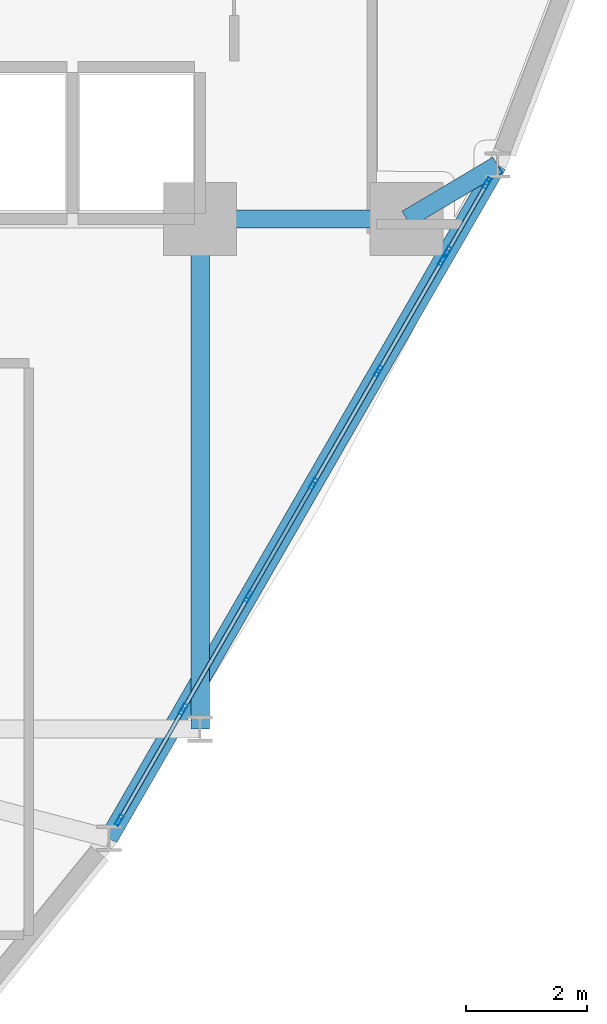
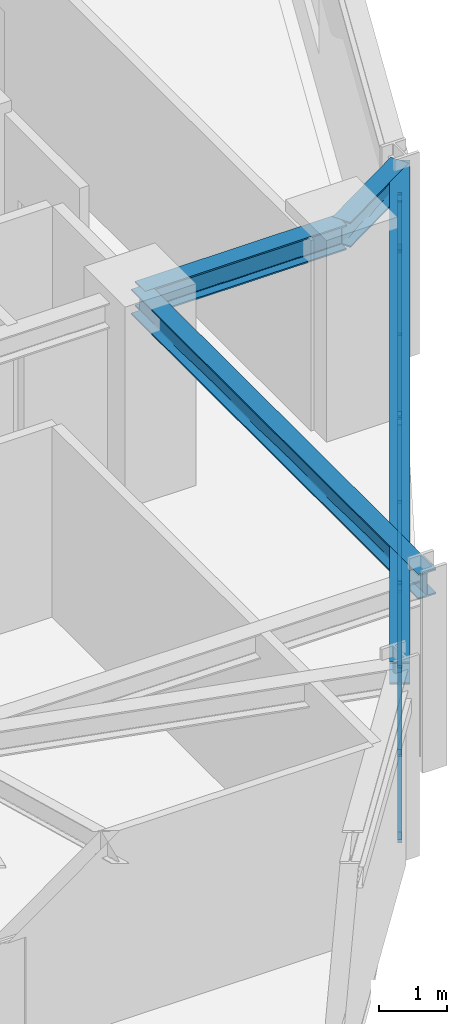
# One storey, part 6 of 15: 22 members, 4 beams, 2 elements without a shape of their own.
"""IFC4 building model written with IfcOpenShell, lengths in metres."""

from ifc_helpers import new_model, si_unit, derived_unit, direction, frame, origin, origin_2d, place, context, subcontext, project, spatial, hollow_rectangle, i_section, extrude, source, transform, mapped, material, layer, layer_set, material_profile, profile_set, type_object, element, aggregate, save


model = new_model("IFC4")

# Units and contexts
model_context = context("Model", 3, precision=1e-05, world=origin(), true_north=direction((0.0, 1.0)))
body_context = subcontext(model_context, "Body", "Model", "MODEL_VIEW")
ifc_project = project(units=[si_unit("LENGTHUNIT", "METRE"), si_unit("AREAUNIT", "SQUARE_METRE"), si_unit("VOLUMEUNIT", "CUBIC_METRE"), si_unit("PLANEANGLEUNIT", "RADIAN"), si_unit("MASSUNIT", "GRAM", prefix="KILO"), derived_unit("THERMALTRANSMITTANCEUNIT", [(si_unit("POWERUNIT", "WATT"), 1), (si_unit("LENGTHUNIT", "METRE"), -2), (si_unit("THERMODYNAMICTEMPERATUREUNIT", "KELVIN"), -1)])], contexts=[model_context])

# Site, building, storey
site_placement = place(None, origin())
site = spatial("IfcSite", under=ifc_project, at=site_placement, CompositionType="ELEMENT")
building_placement = place(site_placement, origin())
building = spatial("IfcBuilding", under=site, at=building_placement, Name="Korsvarv Bourse and Concert Hall", CompositionType="ELEMENT")
storey_placement = place(building_placement, frame((0.0, 0.0, 157.800048828125)))
storey = spatial("IfcBuildingStorey", under=building, at=storey_placement, Name="L40", CompositionType="ELEMENT", Elevation=157.800048828125)

# Beams
ifc_material_1 = material(Name="Steel S355", Category="steel")
ifc_material_profile_1 = material_profile(ifc_material_1, i_section(OverallWidth=0.300048828125, OverallDepth=0.449951171875, WebThickness=0.013916015625, FlangeThickness=0.02587890625, FilletRadius=0.02099609375, at=origin_2d()), Name="HEB 450")
ifc_profile_set_1 = profile_set([ifc_material_profile_1], Name="Steel S355")
beam_type_1 = type_object("IfcBeamType", Name="BM-HEB450", PredefinedType="SPANDREL", material=ifc_profile_set_1)
shared_shape_1 = source(origin(), body_context, "Body", "SweptSolid", [
    extrude(i_section(OverallWidth=0.300048828125, OverallDepth=0.449951171875, WebThickness=0.013916015625, FlangeThickness=0.02587890625, FilletRadius=0.02099609375, at=origin_2d()), origin(), (0.0, 0.0, 1.0), 3.400146484375),
])
beam_1_placement = place(storey_placement, frame((44.39990234375, 32.39990234375, 3.175048828125), z_axis=(1.0, 0.0, 0.0), x_axis=(0.0, 1.0, 0.0)))
element("IfcBeam", 1, at=beam_1_placement, inside=storey, type_object=beam_type_1, Name="L40 beam B-08", PredefinedType="SPANDREL", context=body_context, shape_type="MappedRepresentation", body=[
    mapped(shared_shape_1, transform((0.0, 0.0, 0.0), scale=1.0)),
])
shared_shape_2 = source(origin(), body_context, "Body", "SweptSolid", [
    extrude(i_section(OverallWidth=0.300048828125, OverallDepth=0.449951171875, WebThickness=0.013916015625, FlangeThickness=0.02587890625, FilletRadius=0.02099609375, at=origin_2d()), origin(), (0.0, 0.0, 1.0), 8.39990234375),
])
beam_2_placement = place(storey_placement, frame((44.39990234375, 24.0, 3.175048828125), z_axis=(0.0, 1.0, 0.0), x_axis=(-1.0, 0.0, 0.0)))
element("IfcBeam", 2, at=beam_2_placement, inside=storey, type_object=beam_type_1, Name="L40 beam B-08", PredefinedType="SPANDREL", context=body_context, shape_type="MappedRepresentation", body=[
    mapped(shared_shape_2, transform((0.0, 0.0, 0.0), scale=1.0)),
])
ifc_material_profile_2 = material_profile(ifc_material_1, i_section(OverallWidth=0.300048828125, OverallDepth=0.39990234375, WebThickness=0.013427734375, FlangeThickness=0.02392578125, FilletRadius=0.02099609375, at=origin_2d()), Name="HEB 400")
ifc_profile_set_2 = profile_set([ifc_material_profile_2], Name="Steel S355")
beam_type_2 = type_object("IfcBeamType", Name="BM-HEB400", PredefinedType="SPANDREL", material=ifc_profile_set_2)
shared_shape_3 = source(origin(), body_context, "Body", "SweptSolid", [
    extrude(i_section(OverallWidth=0.300048828125, OverallDepth=0.39990234375, WebThickness=0.013427734375, FlangeThickness=0.02392578125, FilletRadius=0.02099609375, at=origin_2d()), origin(), (0.0, 0.0, 1.0), 12.802978515625),
])
beam_3_placement = place(storey_placement, frame((42.895263671875, 22.202392578125, 3.199951171875), z_axis=(0.499994815902, 0.866028396804, 0.0), x_axis=(-0.866028396804, 0.499994815902, 0.0)))
element("IfcBeam", 3, at=beam_3_placement, inside=storey, type_object=beam_type_2, Name="L40 beam B-09", PredefinedType="SPANDREL", context=body_context, shape_type="MappedRepresentation", body=[
    mapped(shared_shape_3, transform((0.0, 0.0, 0.0), scale=1.0)),
])
shared_shape_4 = source(origin(), body_context, "Body", "SweptSolid", [
    extrude(i_section(OverallWidth=0.300048828125, OverallDepth=0.449951171875, WebThickness=0.013916015625, FlangeThickness=0.02587890625, FilletRadius=0.02099609375, at=origin_2d()), origin(), (0.0, 0.0, 1.0), 1.7412109375),
])
beam_4_placement = place(storey_placement, frame((49.296630859375, 33.2900390625, 3.175048828125), z_axis=(-0.85946596588, -0.511192970897, 0.0), x_axis=(0.511192970897, -0.85946596588, 0.0)))
element("IfcBeam", 4, at=beam_4_placement, inside=storey, type_object=beam_type_1, Name="L40 beam B-08", PredefinedType="SPANDREL", context=body_context, shape_type="MappedRepresentation", body=[
    mapped(shared_shape_4, transform((0.0, 0.0, 0.0), scale=1.0)),
])

# Curtain wall, members
ifc_material_2 = material(Name="Anodised aluminium and triple low-E glazing", Category="glass")
ifc_layer = layer(ifc_material_2, 0.2099609375)
ifc_layer_set = layer_set([ifc_layer], Name="Anodised aluminium and triple low-E glazing")
curtain_wall_type = type_object("IfcCurtainWallType", Name="CW-SYS-2", PredefinedType="NOTDEFINED", material=ifc_layer_set)
curtain_wall_1_placement = place(storey_placement, origin())
curtain_wall_1 = element("IfcCurtainWall", 5, at=curtain_wall_1_placement, inside=storey, type_object=curtain_wall_type, Name="L40 CW2 curtain wall CW-L40-F11-1", PredefinedType="NOTDEFINED")
ifc_material_3 = material(Name="Extruded aluminium EN AW-6063 T66", Category="aluminium")
ifc_material_profile_3 = material_profile(ifc_material_3, hollow_rectangle(XDim=0.070068359375, YDim=0.18994140625, WallThickness=0.0048828125, at=origin_2d()), Name="ALU-M 70x190")
ifc_profile_set_3 = profile_set([ifc_material_profile_3], Name="Extruded aluminium EN AW-6063 T66")
member_type_1 = type_object("IfcMemberType", Name="CWM-190", PredefinedType="MULLION", material=ifc_profile_set_3)
shared_shape_5 = source(origin(), body_context, "Body", "SweptSolid", [
    extrude(hollow_rectangle(XDim=0.070068359375, YDim=0.18994140625, WallThickness=0.0048828125, at=origin_2d()), origin(), (0.0, 0.0, 1.0), 3.0),
])
member_1_placement = place(storey_placement, frame((43.067138671875, 22.5, 0.0), z_axis=(0.0, 0.0, 1.0), x_axis=(-0.866026453118, 0.499998182496, 0.0)))
member_1 = element("IfcMember", 6, at=member_1_placement, type_object=member_type_1, Name="CW2 mullion 1", PredefinedType="MULLION", context=body_context, shape_type="MappedRepresentation", body=[
    mapped(shared_shape_5, transform((0.0, 0.0, 0.0), scale=1.0)),
])
member_2_placement = place(storey_placement, frame((44.12109375, 24.325927734375, 0.0), z_axis=(0.0, 0.0, 1.0), x_axis=(-0.866026453118, 0.499998182496, 0.0)))
member_2 = element("IfcMember", 7, at=member_2_placement, type_object=member_type_1, Name="CW2 mullion 2", PredefinedType="MULLION", context=body_context, shape_type="MappedRepresentation", body=[
    mapped(shared_shape_5, transform((0.0, 0.0, 0.0), scale=1.0)),
])
member_3_placement = place(storey_placement, frame((45.19287109375, 26.181884765625, 0.0), z_axis=(0.0, 0.0, 1.0), x_axis=(-0.866026453118, 0.499998182496, 0.0)))
member_3 = element("IfcMember", 8, at=member_3_placement, type_object=member_type_1, Name="CW2 mullion 3", PredefinedType="MULLION", context=body_context, shape_type="MappedRepresentation", body=[
    mapped(shared_shape_5, transform((0.0, 0.0, 0.0), scale=1.0)),
])
member_4_placement = place(storey_placement, frame((46.264404296875, 28.037841796875, 0.0), z_axis=(0.0, 0.0, 1.0), x_axis=(-0.866026453118, 0.499998182496, 0.0)))
member_4 = element("IfcMember", 9, at=member_4_placement, type_object=member_type_1, Name="CW2 mullion 4", PredefinedType="MULLION", context=body_context, shape_type="MappedRepresentation", body=[
    mapped(shared_shape_5, transform((0.0, 0.0, 0.0), scale=1.0)),
])
member_5_placement = place(storey_placement, frame((47.3359375, 29.89404296875, 0.0), z_axis=(0.0, 0.0, 1.0), x_axis=(-0.866026453118, 0.499998182496, 0.0)))
member_5 = element("IfcMember", 10, at=member_5_placement, type_object=member_type_1, Name="CW2 mullion 5", PredefinedType="MULLION", context=body_context, shape_type="MappedRepresentation", body=[
    mapped(shared_shape_5, transform((0.0, 0.0, 0.0), scale=1.0)),
])
member_6_placement = place(storey_placement, frame((48.389892578125, 31.7197265625, 0.0), z_axis=(0.0, 0.0, 1.0), x_axis=(-0.866026453118, 0.499998182496, 0.0)))
member_6 = element("IfcMember", 11, at=member_6_placement, type_object=member_type_1, Name="CW2 mullion 6", PredefinedType="MULLION", context=body_context, shape_type="MappedRepresentation", body=[
    mapped(shared_shape_5, transform((0.0, 0.0, 0.0), scale=1.0)),
])

curtain_wall_2_placement = place(storey_placement, origin())
curtain_wall_2 = element("IfcCurtainWall", 12, at=curtain_wall_2_placement, inside=storey, type_object=curtain_wall_type, Name="L40 CW2 curtain wall CW-L40-F11-2", PredefinedType="NOTDEFINED")
member_7_placement = place(storey_placement, frame((48.467529296875, 31.85400390625, 0.0), z_axis=(0.0, 0.0, 1.0), x_axis=(-0.866007567723, 0.500030891693, 0.0)))
member_7 = element("IfcMember", 13, at=member_7_placement, type_object=member_type_1, Name="CW2 mullion 1", PredefinedType="MULLION", context=body_context, shape_type="MappedRepresentation", body=[
    mapped(shared_shape_5, transform((0.0, 0.0, 0.0), scale=1.0)),
])
member_8_placement = place(storey_placement, frame((49.124755859375, 32.9921875, 0.0), z_axis=(0.0, 0.0, 1.0), x_axis=(-0.866007567723, 0.500030891693, 0.0)))
member_8 = element("IfcMember", 14, at=member_8_placement, type_object=member_type_1, Name="CW2 mullion 2", PredefinedType="MULLION", context=body_context, shape_type="MappedRepresentation", body=[
    mapped(shared_shape_5, transform((0.0, 0.0, 0.0), scale=1.0)),
])

# Member
ifc_material_profile_4 = material_profile(ifc_material_3, hollow_rectangle(XDim=0.06494140625, YDim=0.139892578125, WallThickness=0.00390625, at=origin_2d()), Name="ALU-T 65x140")
ifc_profile_set_4 = profile_set([ifc_material_profile_4], Name="Extruded aluminium EN AW-6063 T66")
member_type_2 = type_object("IfcMemberType", Name="CWT-140", PredefinedType="USERDEFINED", material=ifc_profile_set_4)
shared_shape_6 = source(origin(), body_context, "Body", "SweptSolid", [
    extrude(hollow_rectangle(XDim=0.06494140625, YDim=0.139892578125, WallThickness=0.00390625, at=origin_2d()), origin(), (0.0, 0.0, 1.0), 2.037841796875),
])
member_9_placement = place(storey_placement, frame((43.084716796875, 22.530517578125, 0.032470703125), z_axis=(0.500030089916, 0.866008030666, 0.0), x_axis=(-0.866008030666, 0.500030089916, 0.0)))
member_9 = element("IfcMember", 15, at=member_9_placement, type_object=member_type_2, Name="CW2 transom 1.1", ObjectType="TRANSOM", PredefinedType="USERDEFINED", context=body_context, shape_type="MappedRepresentation", body=[
    mapped(shared_shape_6, transform((0.0, 0.0, 0.0), scale=1.0)),
])

member_10_placement = place(storey_placement, frame((43.084716796875, 22.530517578125, 2.967529296875), z_axis=(0.500030089916, 0.866008030666, 0.0), x_axis=(-0.866008030666, 0.500030089916, 0.0)))
member_10 = element("IfcMember", 16, at=member_10_placement, type_object=member_type_2, Name="CW2 transom 1.2", ObjectType="TRANSOM", PredefinedType="USERDEFINED", context=body_context, shape_type="MappedRepresentation", body=[
    mapped(shared_shape_6, transform((0.0, 0.0, 0.0), scale=1.0)),
])

shared_shape_7 = source(origin(), body_context, "Body", "SweptSolid", [
    extrude(hollow_rectangle(XDim=0.06494140625, YDim=0.139892578125, WallThickness=0.00390625, at=origin_2d()), origin(), (0.0, 0.0, 1.0), 2.0732421875),
])
member_11_placement = place(storey_placement, frame((44.138671875, 24.356201171875, 0.032470703125), z_axis=(0.500014671848, 0.866016932823, 0.0), x_axis=(-0.866016932823, 0.500014671848, 0.0)))
member_11 = element("IfcMember", 17, at=member_11_placement, type_object=member_type_2, Name="CW2 transom 2.1", ObjectType="TRANSOM", PredefinedType="USERDEFINED", context=body_context, shape_type="MappedRepresentation", body=[
    mapped(shared_shape_7, transform((0.0, 0.0, 0.0), scale=1.0)),
])

member_12_placement = place(storey_placement, frame((44.138671875, 24.356201171875, 2.967529296875), z_axis=(0.500014671848, 0.866016932823, 0.0), x_axis=(-0.866016932823, 0.500014671848, 0.0)))
member_12 = element("IfcMember", 18, at=member_12_placement, type_object=member_type_2, Name="CW2 transom 2.2", ObjectType="TRANSOM", PredefinedType="USERDEFINED", context=body_context, shape_type="MappedRepresentation", body=[
    mapped(shared_shape_7, transform((0.0, 0.0, 0.0), scale=1.0)),
])

member_13_placement = place(storey_placement, frame((45.210205078125, 26.212158203125, 0.032470703125), z_axis=(0.500014671848, 0.866016932823, 0.0), x_axis=(-0.866016932823, 0.500014671848, 0.0)))
member_13 = element("IfcMember", 19, at=member_13_placement, type_object=member_type_2, Name="CW2 transom 3.1", ObjectType="TRANSOM", PredefinedType="USERDEFINED", context=body_context, shape_type="MappedRepresentation", body=[
    mapped(shared_shape_7, transform((0.0, 0.0, 0.0), scale=1.0)),
])

member_14_placement = place(storey_placement, frame((45.210205078125, 26.212158203125, 2.967529296875), z_axis=(0.500014671848, 0.866016932823, 0.0), x_axis=(-0.866016932823, 0.500014671848, 0.0)))
member_14 = element("IfcMember", 20, at=member_14_placement, type_object=member_type_2, Name="CW2 transom 3.2", ObjectType="TRANSOM", PredefinedType="USERDEFINED", context=body_context, shape_type="MappedRepresentation", body=[
    mapped(shared_shape_7, transform((0.0, 0.0, 0.0), scale=1.0)),
])

ifc_material_profile_5 = material_profile(ifc_material_3, hollow_rectangle(XDim=0.06494140625, YDim=0.1650390625, WallThickness=0.0048828125, at=origin_2d()), Name="ALU-M 65x165")
ifc_profile_set_5 = profile_set([ifc_material_profile_5], Name="Extruded aluminium EN AW-6063 T66")
member_type_3 = type_object("IfcMemberType", Name="CWM-165", PredefinedType="MULLION", material=ifc_profile_set_5)
shared_shape_8 = source(origin(), body_context, "Body", "SweptSolid", [
    extrude(hollow_rectangle(XDim=0.06494140625, YDim=0.1650390625, WallThickness=0.0048828125, at=origin_2d()), origin(), (0.0, 0.0, 1.0), 3.54052734375),
])
member_15_placement = place(storey_placement, frame((45.210205078125, 26.212158203125, 0.06494140625), z_axis=(0.292783468002, 0.507096001811, 0.810636469579), x_axis=(-0.866016932823, 0.500014671848, 0.0)))
member_15 = element("IfcMember", 21, at=member_15_placement, type_object=member_type_3, Name="CW2 diagonal mullion 3", PredefinedType="MULLION", context=body_context, shape_type="MappedRepresentation", body=[
    mapped(shared_shape_8, transform((0.0, 0.0, 0.0), scale=1.0)),
])

shared_shape_9 = source(origin(), body_context, "Body", "SweptSolid", [
    extrude(hollow_rectangle(XDim=0.06494140625, YDim=0.139892578125, WallThickness=0.00390625, at=origin_2d()), origin(), (0.0, 0.0, 1.0), 2.073486328125),
])
member_16_placement = place(storey_placement, frame((46.28173828125, 28.068115234375, 0.032470703125), z_axis=(0.499963683025, 0.866046370384, 0.0), x_axis=(-0.866046370384, 0.499963683025, 0.0)))
member_16 = element("IfcMember", 22, at=member_16_placement, type_object=member_type_2, Name="CW2 transom 4.1", ObjectType="TRANSOM", PredefinedType="USERDEFINED", context=body_context, shape_type="MappedRepresentation", body=[
    mapped(shared_shape_9, transform((0.0, 0.0, 0.0), scale=1.0)),
])

member_17_placement = place(storey_placement, frame((46.28173828125, 28.068115234375, 2.967529296875), z_axis=(0.499963683025, 0.866046370384, 0.0), x_axis=(-0.866046370384, 0.499963683025, 0.0)))
member_17 = element("IfcMember", 23, at=member_17_placement, type_object=member_type_2, Name="CW2 transom 4.2", ObjectType="TRANSOM", PredefinedType="USERDEFINED", context=body_context, shape_type="MappedRepresentation", body=[
    mapped(shared_shape_9, transform((0.0, 0.0, 0.0), scale=1.0)),
])

shared_shape_10 = source(origin(), body_context, "Body", "SweptSolid", [
    extrude(hollow_rectangle(XDim=0.06494140625, YDim=0.139892578125, WallThickness=0.00390625, at=origin_2d()), origin(), (0.0, 0.0, 1.0), 2.0380859375),
])
member_18_placement = place(storey_placement, frame((47.353515625, 29.92431640625, 0.032470703125), z_axis=(0.499978218965, 0.866037978706, 0.0), x_axis=(-0.866037978706, 0.499978218965, 0.0)))
member_18 = element("IfcMember", 24, at=member_18_placement, type_object=member_type_2, Name="CW2 transom 5.1", ObjectType="TRANSOM", PredefinedType="USERDEFINED", context=body_context, shape_type="MappedRepresentation", body=[
    mapped(shared_shape_10, transform((0.0, 0.0, 0.0), scale=1.0)),
])

member_19_placement = place(storey_placement, frame((47.353515625, 29.92431640625, 2.967529296875), z_axis=(0.499978218965, 0.866037978706, 0.0), x_axis=(-0.866037978706, 0.499978218965, 0.0)))
member_19 = element("IfcMember", 25, at=member_19_placement, type_object=member_type_2, Name="CW2 transom 5.2", ObjectType="TRANSOM", PredefinedType="USERDEFINED", context=body_context, shape_type="MappedRepresentation", body=[
    mapped(shared_shape_10, transform((0.0, 0.0, 0.0), scale=1.0)),
])

aggregate(curtain_wall_1, [member_1, member_2, member_3, member_4, member_5, member_6, member_9, member_10, member_11, member_12, member_13, member_14, member_15, member_16, member_17, member_18, member_19])

shared_shape_11 = source(origin(), body_context, "Body", "SweptSolid", [
    extrude(hollow_rectangle(XDim=0.06494140625, YDim=0.139892578125, WallThickness=0.00390625, at=origin_2d()), origin(), (0.0, 0.0, 1.0), 1.244384765625),
])
member_20_placement = place(storey_placement, frame((48.485107421875, 31.88427734375, 0.032470703125), z_axis=(0.499937591627, 0.866061432277, 0.0), x_axis=(-0.866061432277, 0.499937591627, 0.0)))
member_20 = element("IfcMember", 26, at=member_20_placement, type_object=member_type_2, Name="CW2 transom 1.1", ObjectType="TRANSOM", PredefinedType="USERDEFINED", context=body_context, shape_type="MappedRepresentation", body=[
    mapped(shared_shape_11, transform((0.0, 0.0, 0.0), scale=1.0)),
])

member_21_placement = place(storey_placement, frame((48.485107421875, 31.88427734375, 2.967529296875), z_axis=(0.499937591627, 0.866061432277, 0.0), x_axis=(-0.866061432277, 0.499937591627, 0.0)))
member_21 = element("IfcMember", 27, at=member_21_placement, type_object=member_type_2, Name="CW2 transom 1.2", ObjectType="TRANSOM", PredefinedType="USERDEFINED", context=body_context, shape_type="MappedRepresentation", body=[
    mapped(shared_shape_11, transform((0.0, 0.0, 0.0), scale=1.0)),
])

shared_shape_12 = source(origin(), body_context, "Body", "SweptSolid", [
    extrude(hollow_rectangle(XDim=0.06494140625, YDim=0.1650390625, WallThickness=0.0048828125, at=origin_2d()), origin(), (0.0, 0.0, 1.0), 3.128173828125),
])
member_22_placement = place(storey_placement, frame((48.485107421875, 31.88427734375, 0.06494140625), z_axis=(0.198856736814, 0.344487298389, 0.917488146775), x_axis=(-0.866061432277, 0.499937591627, 0.0)))
member_22 = element("IfcMember", 28, at=member_22_placement, type_object=member_type_3, Name="CW2 diagonal mullion 1", PredefinedType="MULLION", context=body_context, shape_type="MappedRepresentation", body=[
    mapped(shared_shape_12, transform((0.0, 0.0, 0.0), scale=1.0)),
])

aggregate(curtain_wall_2, [member_7, member_8, member_20, member_21, member_22])

save(model, "model.ifc")
